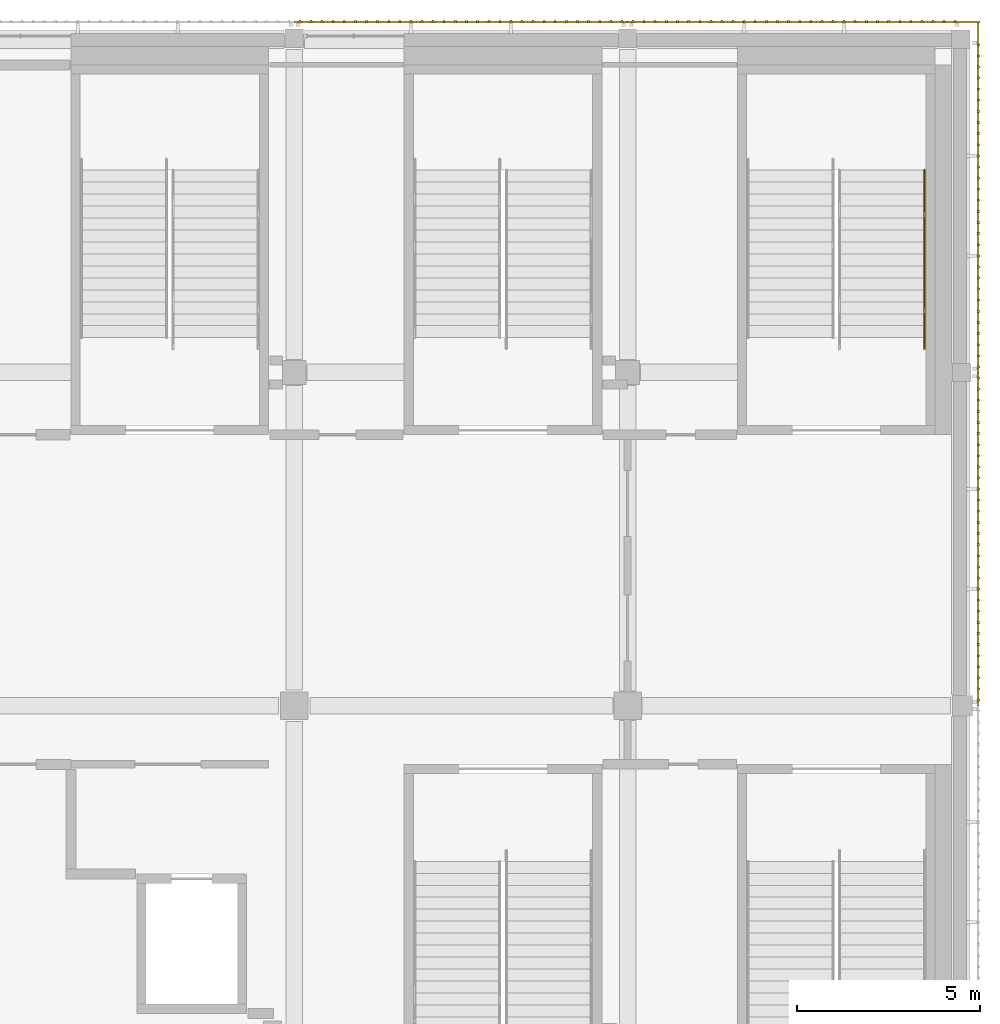
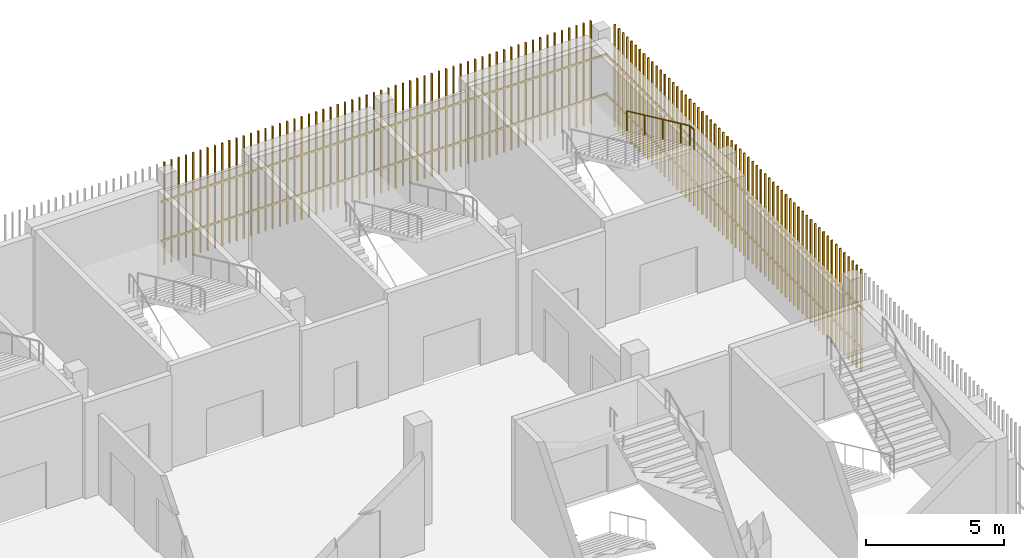
# One storey, part 103 of 104: 4 shading devices, 1 railing.
"""IFC4 building model written with IfcOpenShell, lengths in metres."""

from ifc_helpers import new_model, si_unit, direction, frame, origin, origin_2d, place, context, subcontext, project, spatial, rectangle, circle, extrude, material, type_object, element, save


model = new_model("IFC4")

# Units and contexts
model_context = context("Model", 3, precision=1e-05, world=origin(), true_north=direction((0.0, 1.0)))
body_context = subcontext(model_context, "Body", "Model", "MODEL_VIEW")
ifc_project = project(units=[si_unit("LENGTHUNIT", "METRE"), si_unit("AREAUNIT", "SQUARE_METRE"), si_unit("VOLUMEUNIT", "CUBIC_METRE"), si_unit("PLANEANGLEUNIT", "RADIAN"), si_unit("MASSUNIT", "GRAM", prefix="KILO")], contexts=[model_context])

# Site, building, storey
site_placement = place(None, origin())
site = spatial("IfcSite", under=ifc_project, at=site_placement, CompositionType="ELEMENT")
building_placement = place(site_placement, origin())
building = spatial("IfcBuilding", under=site, at=building_placement, Name="Shirokan Park Arena", CompositionType="ELEMENT")
storey_placement = place(building_placement, frame((0.0, 0.0, 10.919921875)))
storey = spatial("IfcBuildingStorey", under=building, at=storey_placement, Name="L02", CompositionType="ELEMENT", Elevation=10.919921875)

# Railing
ifc_material_1 = material(Name="Stainless steel", Category="steel")
railing_type = type_object("IfcRailingType", Name="Stair handrail 900", PredefinedType="HANDRAIL", material=ifc_material_1)
railing_placement = place(storey_placement, frame((144.610107421875, 105.623779296875, 2.4267578125)))
element("IfcRailing", 1, at=railing_placement, inside=storey, type_object=railing_type, Name="Handrail Exit Stair 3.A L02 to L03", PredefinedType="HANDRAIL", context=body_context, shape_type="SweptSolid", body=[
    extrude(circle(Radius=0.02392578125, at=origin_2d()), frame((0.0, 0.0, 0.8759765625), z_axis=(0.0, -0.907029769225, 0.421066500378), x_axis=(1.0, 0.0, 0.0)), (0.0, 0.0, 1.0), 1.44091796875),
    extrude(circle(Radius=0.02392578125, at=origin_2d()), frame((0.0, -1.306884765625, 1.482421875), z_axis=(0.0, -0.906999720516, 0.421131222998), x_axis=(1.0, 0.0, 0.0)), (0.0, 0.0, 1.0), 1.440673828125),
    extrude(circle(Radius=0.02392578125, at=origin_2d()), frame((0.0, -2.613525390625, 2.08935546875), z_axis=(0.0, -0.907029769225, 0.421066500378), x_axis=(1.0, 0.0, 0.0)), (0.0, 0.0, 1.0), 1.44091796875),
    extrude(circle(Radius=0.02392578125, at=origin_2d()), frame((0.0, -3.92041015625, 2.69580078125), z_axis=(0.0, -0.907064445915, 0.420991794405), x_axis=(1.0, 0.0, 0.0)), (0.0, 0.0, 1.0), 0.72021484375),
    extrude(circle(Radius=0.02392578125, at=origin_2d()), frame((0.0, -4.57373046875, 2.9990234375), z_axis=(0.0, -1.0, 0.0), x_axis=(1.0, 0.0, 0.0)), (0.0, 0.0, 1.0), 0.300048828125),
    extrude(circle(Radius=0.02099609375, at=origin_2d()), origin(), (0.0, 0.0, 1.0), 0.851806640625),
    extrude(circle(Radius=0.02099609375, at=origin_2d()), frame((0.0, -1.306884765625, 0.606689453125)), (0.0, 0.0, 1.0), 0.851806640625),
    extrude(circle(Radius=0.02099609375, at=origin_2d()), frame((0.0, -2.613525390625, 1.21337890625)), (0.0, 0.0, 1.0), 0.851806640625),
    extrude(circle(Radius=0.02099609375, at=origin_2d()), frame((0.0, -3.92041015625, 1.820068359375)), (0.0, 0.0, 1.0), 0.851806640625),
    extrude(circle(Radius=0.02099609375, at=origin_2d()), frame((0.0, -4.57373046875, 2.123291015625)), (0.0, 0.0, 1.0), 0.851806640625),
    extrude(circle(Radius=0.02099609375, at=origin_2d()), frame((0.0, -4.873779296875, 2.123291015625)), (0.0, 0.0, 1.0), 0.851806640625),
])

# Shading devices
ifc_material_2 = material(Name="Timber louvre veil (cedar)", Category="wood")
shading_device_type = type_object("IfcShadingDeviceType", Name="Timber louvre veil panel", PredefinedType="JALOUSIE", material=ifc_material_2)
shading_device_1_placement = place(storey_placement, origin())
element("IfcShadingDevice", 2, at=shading_device_1_placement, inside=storey, type_object=shading_device_type, Name="Timber louvre veil east bay 11 L02", PredefinedType="JALOUSIE", context=body_context, shape_type="SweptSolid", body=[
    extrude(rectangle(XDim=0.050048828125, YDim=0.080078125, at=origin_2d()), frame((146.0849609375, 91.151611328125, 0.0), z_axis=(0.0, 0.0, 1.0), x_axis=(0.0, 1.0, 0.0)), (0.0, 0.0, 1.0), 4.550048828125),
    extrude(rectangle(XDim=0.050048828125, YDim=0.080078125, at=origin_2d()), frame((146.0849609375, 91.455078125, 0.0), z_axis=(0.0, 0.0, 1.0), x_axis=(0.0, 1.0, 0.0)), (0.0, 0.0, 1.0), 4.550048828125),
    extrude(rectangle(XDim=0.050048828125, YDim=0.080078125, at=origin_2d()), frame((146.0849609375, 91.75830078125, 0.0), z_axis=(0.0, 0.0, 1.0), x_axis=(0.0, 1.0, 0.0)), (0.0, 0.0, 1.0), 4.550048828125),
    extrude(rectangle(XDim=0.050048828125, YDim=0.080078125, at=origin_2d()), frame((146.0849609375, 92.061767578125, 0.0), z_axis=(0.0, 0.0, 1.0), x_axis=(0.0, 1.0, 0.0)), (0.0, 0.0, 1.0), 4.550048828125),
    extrude(rectangle(XDim=0.050048828125, YDim=0.080078125, at=origin_2d()), frame((146.0849609375, 92.364990234375, 0.0), z_axis=(0.0, 0.0, 1.0), x_axis=(0.0, 1.0, 0.0)), (0.0, 0.0, 1.0), 4.550048828125),
    extrude(rectangle(XDim=0.050048828125, YDim=0.080078125, at=origin_2d()), frame((146.0849609375, 92.668212890625, 0.0), z_axis=(0.0, 0.0, 1.0), x_axis=(0.0, 1.0, 0.0)), (0.0, 0.0, 1.0), 4.550048828125),
    extrude(rectangle(XDim=0.050048828125, YDim=0.080078125, at=origin_2d()), frame((146.0849609375, 92.9716796875, 0.0), z_axis=(0.0, 0.0, 1.0), x_axis=(0.0, 1.0, 0.0)), (0.0, 0.0, 1.0), 4.550048828125),
    extrude(rectangle(XDim=0.050048828125, YDim=0.080078125, at=origin_2d()), frame((146.0849609375, 93.27490234375, 0.0), z_axis=(0.0, 0.0, 1.0), x_axis=(0.0, 1.0, 0.0)), (0.0, 0.0, 1.0), 4.550048828125),
    extrude(rectangle(XDim=0.050048828125, YDim=0.080078125, at=origin_2d()), frame((146.0849609375, 93.578369140625, 0.0), z_axis=(0.0, 0.0, 1.0), x_axis=(0.0, 1.0, 0.0)), (0.0, 0.0, 1.0), 4.550048828125),
    extrude(rectangle(XDim=0.050048828125, YDim=0.080078125, at=origin_2d()), frame((146.0849609375, 93.881591796875, 0.0), z_axis=(0.0, 0.0, 1.0), x_axis=(0.0, 1.0, 0.0)), (0.0, 0.0, 1.0), 4.550048828125),
    extrude(rectangle(XDim=0.050048828125, YDim=0.080078125, at=origin_2d()), frame((146.0849609375, 94.18505859375, 0.0), z_axis=(0.0, 0.0, 1.0), x_axis=(0.0, 1.0, 0.0)), (0.0, 0.0, 1.0), 4.550048828125),
    extrude(rectangle(XDim=0.050048828125, YDim=0.080078125, at=origin_2d()), frame((146.0849609375, 94.48828125, 0.0), z_axis=(0.0, 0.0, 1.0), x_axis=(0.0, 1.0, 0.0)), (0.0, 0.0, 1.0), 4.550048828125),
    extrude(rectangle(XDim=0.050048828125, YDim=0.080078125, at=origin_2d()), frame((146.0849609375, 94.791748046875, 0.0), z_axis=(0.0, 0.0, 1.0), x_axis=(0.0, 1.0, 0.0)), (0.0, 0.0, 1.0), 4.550048828125),
    extrude(rectangle(XDim=0.050048828125, YDim=0.080078125, at=origin_2d()), frame((146.0849609375, 95.094970703125, 0.0), z_axis=(0.0, 0.0, 1.0), x_axis=(0.0, 1.0, 0.0)), (0.0, 0.0, 1.0), 4.550048828125),
    extrude(rectangle(XDim=0.050048828125, YDim=0.080078125, at=origin_2d()), frame((146.0849609375, 95.3984375, 0.0), z_axis=(0.0, 0.0, 1.0), x_axis=(0.0, 1.0, 0.0)), (0.0, 0.0, 1.0), 4.550048828125),
    extrude(rectangle(XDim=0.050048828125, YDim=0.080078125, at=origin_2d()), frame((146.0849609375, 95.70166015625, 0.0), z_axis=(0.0, 0.0, 1.0), x_axis=(0.0, 1.0, 0.0)), (0.0, 0.0, 1.0), 4.550048828125),
    extrude(rectangle(XDim=0.050048828125, YDim=0.080078125, at=origin_2d()), frame((146.0849609375, 96.0048828125, 0.0), z_axis=(0.0, 0.0, 1.0), x_axis=(0.0, 1.0, 0.0)), (0.0, 0.0, 1.0), 4.550048828125),
    extrude(rectangle(XDim=0.050048828125, YDim=0.080078125, at=origin_2d()), frame((146.0849609375, 96.308349609375, 0.0), z_axis=(0.0, 0.0, 1.0), x_axis=(0.0, 1.0, 0.0)), (0.0, 0.0, 1.0), 4.550048828125),
    extrude(rectangle(XDim=0.050048828125, YDim=0.080078125, at=origin_2d()), frame((146.0849609375, 96.611572265625, 0.0), z_axis=(0.0, 0.0, 1.0), x_axis=(0.0, 1.0, 0.0)), (0.0, 0.0, 1.0), 4.550048828125),
    extrude(rectangle(XDim=0.050048828125, YDim=0.080078125, at=origin_2d()), frame((146.0849609375, 96.9150390625, 0.0), z_axis=(0.0, 0.0, 1.0), x_axis=(0.0, 1.0, 0.0)), (0.0, 0.0, 1.0), 4.550048828125),
    extrude(rectangle(XDim=0.050048828125, YDim=0.080078125, at=origin_2d()), frame((146.0849609375, 97.21826171875, 0.0), z_axis=(0.0, 0.0, 1.0), x_axis=(0.0, 1.0, 0.0)), (0.0, 0.0, 1.0), 4.550048828125),
    extrude(rectangle(XDim=0.050048828125, YDim=0.080078125, at=origin_2d()), frame((146.0849609375, 97.521728515625, 0.0), z_axis=(0.0, 0.0, 1.0), x_axis=(0.0, 1.0, 0.0)), (0.0, 0.0, 1.0), 4.550048828125),
    extrude(rectangle(XDim=0.050048828125, YDim=0.080078125, at=origin_2d()), frame((146.0849609375, 97.824951171875, 0.0), z_axis=(0.0, 0.0, 1.0), x_axis=(0.0, 1.0, 0.0)), (0.0, 0.0, 1.0), 4.550048828125),
    extrude(rectangle(XDim=0.050048828125, YDim=0.080078125, at=origin_2d()), frame((146.0849609375, 98.12841796875, 0.0), z_axis=(0.0, 0.0, 1.0), x_axis=(0.0, 1.0, 0.0)), (0.0, 0.0, 1.0), 4.550048828125),
    extrude(rectangle(XDim=0.050048828125, YDim=0.080078125, at=origin_2d()), frame((146.0849609375, 98.431640625, 0.0), z_axis=(0.0, 0.0, 1.0), x_axis=(0.0, 1.0, 0.0)), (0.0, 0.0, 1.0), 4.550048828125),
    extrude(rectangle(XDim=0.050048828125, YDim=0.080078125, at=origin_2d()), frame((146.0849609375, 98.735107421875, 0.0), z_axis=(0.0, 0.0, 1.0), x_axis=(0.0, 1.0, 0.0)), (0.0, 0.0, 1.0), 4.550048828125),
    extrude(rectangle(XDim=0.050048828125, YDim=0.080078125, at=origin_2d()), frame((146.0849609375, 99.038330078125, 0.0), z_axis=(0.0, 0.0, 1.0), x_axis=(0.0, 1.0, 0.0)), (0.0, 0.0, 1.0), 4.550048828125),
    extrude(rectangle(XDim=0.050048828125, YDim=0.080078125, at=origin_2d()), frame((146.0849609375, 99.341552734375, 0.0), z_axis=(0.0, 0.0, 1.0), x_axis=(0.0, 1.0, 0.0)), (0.0, 0.0, 1.0), 4.550048828125),
    extrude(rectangle(XDim=0.050048828125, YDim=0.080078125, at=origin_2d()), frame((146.0849609375, 99.64501953125, 0.0), z_axis=(0.0, 0.0, 1.0), x_axis=(0.0, 1.0, 0.0)), (0.0, 0.0, 1.0), 4.550048828125),
    extrude(rectangle(XDim=0.050048828125, YDim=0.080078125, at=origin_2d()), frame((146.0849609375, 99.9482421875, 0.0), z_axis=(0.0, 0.0, 1.0), x_axis=(0.0, 1.0, 0.0)), (0.0, 0.0, 1.0), 4.550048828125),
    extrude(rectangle(XDim=9.10009765625, YDim=0.050048828125, at=origin_2d()), frame((146.070068359375, 95.550048828125, 1.06005859375), z_axis=(0.0, 0.0, 1.0), x_axis=(0.0, 1.0, 0.0)), (0.0, 0.0, 1.0), 0.080078125),
    extrude(rectangle(XDim=9.10009765625, YDim=0.050048828125, at=origin_2d()), frame((146.070068359375, 95.550048828125, 2.81005859375), z_axis=(0.0, 0.0, 1.0), x_axis=(0.0, 1.0, 0.0)), (0.0, 0.0, 1.0), 0.080078125),
])
shading_device_2_placement = place(storey_placement, origin())
element("IfcShadingDevice", 3, at=shading_device_2_placement, inside=storey, type_object=shading_device_type, Name="Timber louvre veil east bay 12 L02", PredefinedType="JALOUSIE", context=body_context, shape_type="SweptSolid", body=[
    extrude(rectangle(XDim=0.050048828125, YDim=0.080078125, at=origin_2d()), frame((146.0849609375, 100.251708984375, 0.0), z_axis=(0.0, 0.0, 1.0), x_axis=(0.0, 1.0, 0.0)), (0.0, 0.0, 1.0), 4.550048828125),
    extrude(rectangle(XDim=0.050048828125, YDim=0.080078125, at=origin_2d()), frame((146.0849609375, 100.554931640625, 0.0), z_axis=(0.0, 0.0, 1.0), x_axis=(0.0, 1.0, 0.0)), (0.0, 0.0, 1.0), 4.550048828125),
    extrude(rectangle(XDim=0.050048828125, YDim=0.080078125, at=origin_2d()), frame((146.0849609375, 100.8583984375, 0.0), z_axis=(0.0, 0.0, 1.0), x_axis=(0.0, 1.0, 0.0)), (0.0, 0.0, 1.0), 4.550048828125),
    extrude(rectangle(XDim=0.050048828125, YDim=0.080078125, at=origin_2d()), frame((146.0849609375, 101.16162109375, 0.0), z_axis=(0.0, 0.0, 1.0), x_axis=(0.0, 1.0, 0.0)), (0.0, 0.0, 1.0), 4.550048828125),
    extrude(rectangle(XDim=0.050048828125, YDim=0.080078125, at=origin_2d()), frame((146.0849609375, 101.465087890625, 0.0), z_axis=(0.0, 0.0, 1.0), x_axis=(0.0, 1.0, 0.0)), (0.0, 0.0, 1.0), 4.550048828125),
    extrude(rectangle(XDim=0.050048828125, YDim=0.080078125, at=origin_2d()), frame((146.0849609375, 101.768310546875, 0.0), z_axis=(0.0, 0.0, 1.0), x_axis=(0.0, 1.0, 0.0)), (0.0, 0.0, 1.0), 4.550048828125),
    extrude(rectangle(XDim=0.050048828125, YDim=0.080078125, at=origin_2d()), frame((146.0849609375, 102.07177734375, 0.0), z_axis=(0.0, 0.0, 1.0), x_axis=(0.0, 1.0, 0.0)), (0.0, 0.0, 1.0), 4.550048828125),
    extrude(rectangle(XDim=0.050048828125, YDim=0.080078125, at=origin_2d()), frame((146.0849609375, 102.375, 0.0), z_axis=(0.0, 0.0, 1.0), x_axis=(0.0, 1.0, 0.0)), (0.0, 0.0, 1.0), 4.550048828125),
    extrude(rectangle(XDim=0.050048828125, YDim=0.080078125, at=origin_2d()), frame((146.0849609375, 102.67822265625, 0.0), z_axis=(0.0, 0.0, 1.0), x_axis=(0.0, 1.0, 0.0)), (0.0, 0.0, 1.0), 4.550048828125),
    extrude(rectangle(XDim=0.050048828125, YDim=0.080078125, at=origin_2d()), frame((146.0849609375, 102.981689453125, 0.0), z_axis=(0.0, 0.0, 1.0), x_axis=(0.0, 1.0, 0.0)), (0.0, 0.0, 1.0), 4.550048828125),
    extrude(rectangle(XDim=0.050048828125, YDim=0.080078125, at=origin_2d()), frame((146.0849609375, 103.284912109375, 0.0), z_axis=(0.0, 0.0, 1.0), x_axis=(0.0, 1.0, 0.0)), (0.0, 0.0, 1.0), 4.550048828125),
    extrude(rectangle(XDim=0.050048828125, YDim=0.080078125, at=origin_2d()), frame((146.0849609375, 103.58837890625, 0.0), z_axis=(0.0, 0.0, 1.0), x_axis=(0.0, 1.0, 0.0)), (0.0, 0.0, 1.0), 4.550048828125),
    extrude(rectangle(XDim=0.050048828125, YDim=0.080078125, at=origin_2d()), frame((146.0849609375, 103.8916015625, 0.0), z_axis=(0.0, 0.0, 1.0), x_axis=(0.0, 1.0, 0.0)), (0.0, 0.0, 1.0), 4.550048828125),
    extrude(rectangle(XDim=0.050048828125, YDim=0.080078125, at=origin_2d()), frame((146.0849609375, 104.195068359375, 0.0), z_axis=(0.0, 0.0, 1.0), x_axis=(0.0, 1.0, 0.0)), (0.0, 0.0, 1.0), 4.550048828125),
    extrude(rectangle(XDim=0.050048828125, YDim=0.080078125, at=origin_2d()), frame((146.0849609375, 104.498291015625, 0.0), z_axis=(0.0, 0.0, 1.0), x_axis=(0.0, 1.0, 0.0)), (0.0, 0.0, 1.0), 4.550048828125),
    extrude(rectangle(XDim=0.050048828125, YDim=0.080078125, at=origin_2d()), frame((146.0849609375, 104.8017578125, 0.0), z_axis=(0.0, 0.0, 1.0), x_axis=(0.0, 1.0, 0.0)), (0.0, 0.0, 1.0), 4.550048828125),
    extrude(rectangle(XDim=0.050048828125, YDim=0.080078125, at=origin_2d()), frame((146.0849609375, 105.10498046875, 0.0), z_axis=(0.0, 0.0, 1.0), x_axis=(0.0, 1.0, 0.0)), (0.0, 0.0, 1.0), 4.550048828125),
    extrude(rectangle(XDim=0.050048828125, YDim=0.080078125, at=origin_2d()), frame((146.0849609375, 105.408447265625, 0.0), z_axis=(0.0, 0.0, 1.0), x_axis=(0.0, 1.0, 0.0)), (0.0, 0.0, 1.0), 4.550048828125),
    extrude(rectangle(XDim=0.050048828125, YDim=0.080078125, at=origin_2d()), frame((146.0849609375, 105.711669921875, 0.0), z_axis=(0.0, 0.0, 1.0), x_axis=(0.0, 1.0, 0.0)), (0.0, 0.0, 1.0), 4.550048828125),
    extrude(rectangle(XDim=0.050048828125, YDim=0.080078125, at=origin_2d()), frame((146.0849609375, 106.014892578125, 0.0), z_axis=(0.0, 0.0, 1.0), x_axis=(0.0, 1.0, 0.0)), (0.0, 0.0, 1.0), 4.550048828125),
    extrude(rectangle(XDim=0.050048828125, YDim=0.080078125, at=origin_2d()), frame((146.0849609375, 106.318359375, 0.0), z_axis=(0.0, 0.0, 1.0), x_axis=(0.0, 1.0, 0.0)), (0.0, 0.0, 1.0), 4.550048828125),
    extrude(rectangle(XDim=0.050048828125, YDim=0.080078125, at=origin_2d()), frame((146.0849609375, 106.62158203125, 0.0), z_axis=(0.0, 0.0, 1.0), x_axis=(0.0, 1.0, 0.0)), (0.0, 0.0, 1.0), 4.550048828125),
    extrude(rectangle(XDim=0.050048828125, YDim=0.080078125, at=origin_2d()), frame((146.0849609375, 106.925048828125, 0.0), z_axis=(0.0, 0.0, 1.0), x_axis=(0.0, 1.0, 0.0)), (0.0, 0.0, 1.0), 4.550048828125),
    extrude(rectangle(XDim=0.050048828125, YDim=0.080078125, at=origin_2d()), frame((146.0849609375, 107.228271484375, 0.0), z_axis=(0.0, 0.0, 1.0), x_axis=(0.0, 1.0, 0.0)), (0.0, 0.0, 1.0), 4.550048828125),
    extrude(rectangle(XDim=0.050048828125, YDim=0.080078125, at=origin_2d()), frame((146.0849609375, 107.53173828125, 0.0), z_axis=(0.0, 0.0, 1.0), x_axis=(0.0, 1.0, 0.0)), (0.0, 0.0, 1.0), 4.550048828125),
    extrude(rectangle(XDim=0.050048828125, YDim=0.080078125, at=origin_2d()), frame((146.0849609375, 107.8349609375, 0.0), z_axis=(0.0, 0.0, 1.0), x_axis=(0.0, 1.0, 0.0)), (0.0, 0.0, 1.0), 4.550048828125),
    extrude(rectangle(XDim=0.050048828125, YDim=0.080078125, at=origin_2d()), frame((146.0849609375, 108.138427734375, 0.0), z_axis=(0.0, 0.0, 1.0), x_axis=(0.0, 1.0, 0.0)), (0.0, 0.0, 1.0), 4.550048828125),
    extrude(rectangle(XDim=0.050048828125, YDim=0.080078125, at=origin_2d()), frame((146.0849609375, 108.441650390625, 0.0), z_axis=(0.0, 0.0, 1.0), x_axis=(0.0, 1.0, 0.0)), (0.0, 0.0, 1.0), 4.550048828125),
    extrude(rectangle(XDim=0.050048828125, YDim=0.080078125, at=origin_2d()), frame((146.0849609375, 108.7451171875, 0.0), z_axis=(0.0, 0.0, 1.0), x_axis=(0.0, 1.0, 0.0)), (0.0, 0.0, 1.0), 4.550048828125),
    extrude(rectangle(XDim=0.050048828125, YDim=0.080078125, at=origin_2d()), frame((146.0849609375, 109.04833984375, 0.0), z_axis=(0.0, 0.0, 1.0), x_axis=(0.0, 1.0, 0.0)), (0.0, 0.0, 1.0), 4.550048828125),
    extrude(rectangle(XDim=9.544921875, YDim=0.050048828125, at=origin_2d()), frame((146.070068359375, 104.87255859375, 1.06005859375), z_axis=(0.0, 0.0, 1.0), x_axis=(0.0, 1.0, 0.0)), (0.0, 0.0, 1.0), 0.080078125),
    extrude(rectangle(XDim=9.544921875, YDim=0.050048828125, at=origin_2d()), frame((146.070068359375, 104.87255859375, 2.81005859375), z_axis=(0.0, 0.0, 1.0), x_axis=(0.0, 1.0, 0.0)), (0.0, 0.0, 1.0), 0.080078125),
])
shading_device_3_placement = place(storey_placement, origin())
element("IfcShadingDevice", 4, at=shading_device_3_placement, inside=storey, type_object=shading_device_type, Name="Timber louvre veil north bay 1 L02", PredefinedType="JALOUSIE", context=body_context, shape_type="SweptSolid", body=[
    extrude(rectangle(XDim=0.050048828125, YDim=0.080078125, at=origin_2d()), frame((145.4482421875, 109.68505859375, 0.0), z_axis=(0.0, 0.0, 1.0), x_axis=(-1.0, 0.0, 0.0)), (0.0, 0.0, 1.0), 4.550048828125),
    extrude(rectangle(XDim=0.050048828125, YDim=0.080078125, at=origin_2d()), frame((145.14501953125, 109.68505859375, 0.0), z_axis=(0.0, 0.0, 1.0), x_axis=(-1.0, 0.0, 0.0)), (0.0, 0.0, 1.0), 4.550048828125),
    extrude(rectangle(XDim=0.050048828125, YDim=0.080078125, at=origin_2d()), frame((144.841552734375, 109.68505859375, 0.0), z_axis=(0.0, 0.0, 1.0), x_axis=(-1.0, 0.0, 0.0)), (0.0, 0.0, 1.0), 4.550048828125),
    extrude(rectangle(XDim=0.050048828125, YDim=0.080078125, at=origin_2d()), frame((144.538330078125, 109.68505859375, 0.0), z_axis=(0.0, 0.0, 1.0), x_axis=(-1.0, 0.0, 0.0)), (0.0, 0.0, 1.0), 4.550048828125),
    extrude(rectangle(XDim=0.050048828125, YDim=0.080078125, at=origin_2d()), frame((144.235107421875, 109.68505859375, 0.0), z_axis=(0.0, 0.0, 1.0), x_axis=(-1.0, 0.0, 0.0)), (0.0, 0.0, 1.0), 4.550048828125),
    extrude(rectangle(XDim=0.050048828125, YDim=0.080078125, at=origin_2d()), frame((143.931640625, 109.68505859375, 0.0), z_axis=(0.0, 0.0, 1.0), x_axis=(-1.0, 0.0, 0.0)), (0.0, 0.0, 1.0), 4.550048828125),
    extrude(rectangle(XDim=0.050048828125, YDim=0.080078125, at=origin_2d()), frame((143.62841796875, 109.68505859375, 0.0), z_axis=(0.0, 0.0, 1.0), x_axis=(-1.0, 0.0, 0.0)), (0.0, 0.0, 1.0), 4.550048828125),
    extrude(rectangle(XDim=0.050048828125, YDim=0.080078125, at=origin_2d()), frame((143.324951171875, 109.68505859375, 0.0), z_axis=(0.0, 0.0, 1.0), x_axis=(-1.0, 0.0, 0.0)), (0.0, 0.0, 1.0), 4.550048828125),
    extrude(rectangle(XDim=0.050048828125, YDim=0.080078125, at=origin_2d()), frame((143.021728515625, 109.68505859375, 0.0), z_axis=(0.0, 0.0, 1.0), x_axis=(-1.0, 0.0, 0.0)), (0.0, 0.0, 1.0), 4.550048828125),
    extrude(rectangle(XDim=0.050048828125, YDim=0.080078125, at=origin_2d()), frame((142.71826171875, 109.68505859375, 0.0), z_axis=(0.0, 0.0, 1.0), x_axis=(-1.0, 0.0, 0.0)), (0.0, 0.0, 1.0), 4.550048828125),
    extrude(rectangle(XDim=0.050048828125, YDim=0.080078125, at=origin_2d()), frame((142.4150390625, 109.68505859375, 0.0), z_axis=(0.0, 0.0, 1.0), x_axis=(-1.0, 0.0, 0.0)), (0.0, 0.0, 1.0), 4.550048828125),
    extrude(rectangle(XDim=0.050048828125, YDim=0.080078125, at=origin_2d()), frame((142.111572265625, 109.68505859375, 0.0), z_axis=(0.0, 0.0, 1.0), x_axis=(-1.0, 0.0, 0.0)), (0.0, 0.0, 1.0), 4.550048828125),
    extrude(rectangle(XDim=0.050048828125, YDim=0.080078125, at=origin_2d()), frame((141.808349609375, 109.68505859375, 0.0), z_axis=(0.0, 0.0, 1.0), x_axis=(-1.0, 0.0, 0.0)), (0.0, 0.0, 1.0), 4.550048828125),
    extrude(rectangle(XDim=0.050048828125, YDim=0.080078125, at=origin_2d()), frame((141.5048828125, 109.68505859375, 0.0), z_axis=(0.0, 0.0, 1.0), x_axis=(-1.0, 0.0, 0.0)), (0.0, 0.0, 1.0), 4.550048828125),
    extrude(rectangle(XDim=0.050048828125, YDim=0.080078125, at=origin_2d()), frame((141.20166015625, 109.68505859375, 0.0), z_axis=(0.0, 0.0, 1.0), x_axis=(-1.0, 0.0, 0.0)), (0.0, 0.0, 1.0), 4.550048828125),
    extrude(rectangle(XDim=0.050048828125, YDim=0.080078125, at=origin_2d()), frame((140.8984375, 109.68505859375, 0.0), z_axis=(0.0, 0.0, 1.0), x_axis=(-1.0, 0.0, 0.0)), (0.0, 0.0, 1.0), 4.550048828125),
    extrude(rectangle(XDim=0.050048828125, YDim=0.080078125, at=origin_2d()), frame((140.594970703125, 109.68505859375, 0.0), z_axis=(0.0, 0.0, 1.0), x_axis=(-1.0, 0.0, 0.0)), (0.0, 0.0, 1.0), 4.550048828125),
    extrude(rectangle(XDim=0.050048828125, YDim=0.080078125, at=origin_2d()), frame((140.291748046875, 109.68505859375, 0.0), z_axis=(0.0, 0.0, 1.0), x_axis=(-1.0, 0.0, 0.0)), (0.0, 0.0, 1.0), 4.550048828125),
    extrude(rectangle(XDim=0.050048828125, YDim=0.080078125, at=origin_2d()), frame((139.98828125, 109.68505859375, 0.0), z_axis=(0.0, 0.0, 1.0), x_axis=(-1.0, 0.0, 0.0)), (0.0, 0.0, 1.0), 4.550048828125),
    extrude(rectangle(XDim=0.050048828125, YDim=0.080078125, at=origin_2d()), frame((139.68505859375, 109.68505859375, 0.0), z_axis=(0.0, 0.0, 1.0), x_axis=(-1.0, 0.0, 0.0)), (0.0, 0.0, 1.0), 4.550048828125),
    extrude(rectangle(XDim=0.050048828125, YDim=0.080078125, at=origin_2d()), frame((139.381591796875, 109.68505859375, 0.0), z_axis=(0.0, 0.0, 1.0), x_axis=(-1.0, 0.0, 0.0)), (0.0, 0.0, 1.0), 4.550048828125),
    extrude(rectangle(XDim=0.050048828125, YDim=0.080078125, at=origin_2d()), frame((139.078369140625, 109.68505859375, 0.0), z_axis=(0.0, 0.0, 1.0), x_axis=(-1.0, 0.0, 0.0)), (0.0, 0.0, 1.0), 4.550048828125),
    extrude(rectangle(XDim=0.050048828125, YDim=0.080078125, at=origin_2d()), frame((138.77490234375, 109.68505859375, 0.0), z_axis=(0.0, 0.0, 1.0), x_axis=(-1.0, 0.0, 0.0)), (0.0, 0.0, 1.0), 4.550048828125),
    extrude(rectangle(XDim=0.050048828125, YDim=0.080078125, at=origin_2d()), frame((138.4716796875, 109.68505859375, 0.0), z_axis=(0.0, 0.0, 1.0), x_axis=(-1.0, 0.0, 0.0)), (0.0, 0.0, 1.0), 4.550048828125),
    extrude(rectangle(XDim=0.050048828125, YDim=0.080078125, at=origin_2d()), frame((138.168212890625, 109.68505859375, 0.0), z_axis=(0.0, 0.0, 1.0), x_axis=(-1.0, 0.0, 0.0)), (0.0, 0.0, 1.0), 4.550048828125),
    extrude(rectangle(XDim=0.050048828125, YDim=0.080078125, at=origin_2d()), frame((137.864990234375, 109.68505859375, 0.0), z_axis=(0.0, 0.0, 1.0), x_axis=(-1.0, 0.0, 0.0)), (0.0, 0.0, 1.0), 4.550048828125),
    extrude(rectangle(XDim=0.050048828125, YDim=0.080078125, at=origin_2d()), frame((137.561767578125, 109.68505859375, 0.0), z_axis=(0.0, 0.0, 1.0), x_axis=(-1.0, 0.0, 0.0)), (0.0, 0.0, 1.0), 4.550048828125),
    extrude(rectangle(XDim=0.050048828125, YDim=0.080078125, at=origin_2d()), frame((137.25830078125, 109.68505859375, 0.0), z_axis=(0.0, 0.0, 1.0), x_axis=(-1.0, 0.0, 0.0)), (0.0, 0.0, 1.0), 4.550048828125),
    extrude(rectangle(XDim=0.050048828125, YDim=0.080078125, at=origin_2d()), frame((136.955078125, 109.68505859375, 0.0), z_axis=(0.0, 0.0, 1.0), x_axis=(-1.0, 0.0, 0.0)), (0.0, 0.0, 1.0), 4.550048828125),
    extrude(rectangle(XDim=0.050048828125, YDim=0.080078125, at=origin_2d()), frame((136.651611328125, 109.68505859375, 0.0), z_axis=(0.0, 0.0, 1.0), x_axis=(-1.0, 0.0, 0.0)), (0.0, 0.0, 1.0), 4.550048828125),
    extrude(rectangle(XDim=9.625, YDim=0.050048828125, at=origin_2d()), frame((141.3125, 109.669921875, 1.06005859375), z_axis=(0.0, 0.0, 1.0), x_axis=(-1.0, 0.0, 0.0)), (0.0, 0.0, 1.0), 0.080078125),
    extrude(rectangle(XDim=9.625, YDim=0.050048828125, at=origin_2d()), frame((141.3125, 109.669921875, 2.81005859375), z_axis=(0.0, 0.0, 1.0), x_axis=(-1.0, 0.0, 0.0)), (0.0, 0.0, 1.0), 0.080078125),
])
shading_device_4_placement = place(storey_placement, origin())
element("IfcShadingDevice", 5, at=shading_device_4_placement, inside=storey, type_object=shading_device_type, Name="Timber louvre veil north bay 2 L02", PredefinedType="JALOUSIE", context=body_context, shape_type="SweptSolid", body=[
    extrude(rectangle(XDim=0.050048828125, YDim=0.080078125, at=origin_2d()), frame((136.348388671875, 109.68505859375, 0.0), z_axis=(0.0, 0.0, 1.0), x_axis=(-1.0, 0.0, 0.0)), (0.0, 0.0, 1.0), 4.550048828125),
    extrude(rectangle(XDim=0.050048828125, YDim=0.080078125, at=origin_2d()), frame((136.044921875, 109.68505859375, 0.0), z_axis=(0.0, 0.0, 1.0), x_axis=(-1.0, 0.0, 0.0)), (0.0, 0.0, 1.0), 4.550048828125),
    extrude(rectangle(XDim=0.050048828125, YDim=0.080078125, at=origin_2d()), frame((135.74169921875, 109.68505859375, 0.0), z_axis=(0.0, 0.0, 1.0), x_axis=(-1.0, 0.0, 0.0)), (0.0, 0.0, 1.0), 4.550048828125),
    extrude(rectangle(XDim=0.050048828125, YDim=0.080078125, at=origin_2d()), frame((135.438232421875, 109.68505859375, 0.0), z_axis=(0.0, 0.0, 1.0), x_axis=(-1.0, 0.0, 0.0)), (0.0, 0.0, 1.0), 4.550048828125),
    extrude(rectangle(XDim=0.050048828125, YDim=0.080078125, at=origin_2d()), frame((135.135009765625, 109.68505859375, 0.0), z_axis=(0.0, 0.0, 1.0), x_axis=(-1.0, 0.0, 0.0)), (0.0, 0.0, 1.0), 4.550048828125),
    extrude(rectangle(XDim=0.050048828125, YDim=0.080078125, at=origin_2d()), frame((134.831787109375, 109.68505859375, 0.0), z_axis=(0.0, 0.0, 1.0), x_axis=(-1.0, 0.0, 0.0)), (0.0, 0.0, 1.0), 4.550048828125),
    extrude(rectangle(XDim=0.050048828125, YDim=0.080078125, at=origin_2d()), frame((134.5283203125, 109.68505859375, 0.0), z_axis=(0.0, 0.0, 1.0), x_axis=(-1.0, 0.0, 0.0)), (0.0, 0.0, 1.0), 4.550048828125),
    extrude(rectangle(XDim=0.050048828125, YDim=0.080078125, at=origin_2d()), frame((134.22509765625, 109.68505859375, 0.0), z_axis=(0.0, 0.0, 1.0), x_axis=(-1.0, 0.0, 0.0)), (0.0, 0.0, 1.0), 4.550048828125),
    extrude(rectangle(XDim=0.050048828125, YDim=0.080078125, at=origin_2d()), frame((133.921630859375, 109.68505859375, 0.0), z_axis=(0.0, 0.0, 1.0), x_axis=(-1.0, 0.0, 0.0)), (0.0, 0.0, 1.0), 4.550048828125),
    extrude(rectangle(XDim=0.050048828125, YDim=0.080078125, at=origin_2d()), frame((133.618408203125, 109.68505859375, 0.0), z_axis=(0.0, 0.0, 1.0), x_axis=(-1.0, 0.0, 0.0)), (0.0, 0.0, 1.0), 4.550048828125),
    extrude(rectangle(XDim=0.050048828125, YDim=0.080078125, at=origin_2d()), frame((133.31494140625, 109.68505859375, 0.0), z_axis=(0.0, 0.0, 1.0), x_axis=(-1.0, 0.0, 0.0)), (0.0, 0.0, 1.0), 4.550048828125),
    extrude(rectangle(XDim=0.050048828125, YDim=0.080078125, at=origin_2d()), frame((133.01171875, 109.68505859375, 0.0), z_axis=(0.0, 0.0, 1.0), x_axis=(-1.0, 0.0, 0.0)), (0.0, 0.0, 1.0), 4.550048828125),
    extrude(rectangle(XDim=0.050048828125, YDim=0.080078125, at=origin_2d()), frame((132.708251953125, 109.68505859375, 0.0), z_axis=(0.0, 0.0, 1.0), x_axis=(-1.0, 0.0, 0.0)), (0.0, 0.0, 1.0), 4.550048828125),
    extrude(rectangle(XDim=0.050048828125, YDim=0.080078125, at=origin_2d()), frame((132.405029296875, 109.68505859375, 0.0), z_axis=(0.0, 0.0, 1.0), x_axis=(-1.0, 0.0, 0.0)), (0.0, 0.0, 1.0), 4.550048828125),
    extrude(rectangle(XDim=0.050048828125, YDim=0.080078125, at=origin_2d()), frame((132.1015625, 109.68505859375, 0.0), z_axis=(0.0, 0.0, 1.0), x_axis=(-1.0, 0.0, 0.0)), (0.0, 0.0, 1.0), 4.550048828125),
    extrude(rectangle(XDim=0.050048828125, YDim=0.080078125, at=origin_2d()), frame((131.79833984375, 109.68505859375, 0.0), z_axis=(0.0, 0.0, 1.0), x_axis=(-1.0, 0.0, 0.0)), (0.0, 0.0, 1.0), 4.550048828125),
    extrude(rectangle(XDim=0.050048828125, YDim=0.080078125, at=origin_2d()), frame((131.4951171875, 109.68505859375, 0.0), z_axis=(0.0, 0.0, 1.0), x_axis=(-1.0, 0.0, 0.0)), (0.0, 0.0, 1.0), 4.550048828125),
    extrude(rectangle(XDim=0.050048828125, YDim=0.080078125, at=origin_2d()), frame((131.191650390625, 109.68505859375, 0.0), z_axis=(0.0, 0.0, 1.0), x_axis=(-1.0, 0.0, 0.0)), (0.0, 0.0, 1.0), 4.550048828125),
    extrude(rectangle(XDim=0.050048828125, YDim=0.080078125, at=origin_2d()), frame((130.888427734375, 109.68505859375, 0.0), z_axis=(0.0, 0.0, 1.0), x_axis=(-1.0, 0.0, 0.0)), (0.0, 0.0, 1.0), 4.550048828125),
    extrude(rectangle(XDim=0.050048828125, YDim=0.080078125, at=origin_2d()), frame((130.5849609375, 109.68505859375, 0.0), z_axis=(0.0, 0.0, 1.0), x_axis=(-1.0, 0.0, 0.0)), (0.0, 0.0, 1.0), 4.550048828125),
    extrude(rectangle(XDim=0.050048828125, YDim=0.080078125, at=origin_2d()), frame((130.28173828125, 109.68505859375, 0.0), z_axis=(0.0, 0.0, 1.0), x_axis=(-1.0, 0.0, 0.0)), (0.0, 0.0, 1.0), 4.550048828125),
    extrude(rectangle(XDim=0.050048828125, YDim=0.080078125, at=origin_2d()), frame((129.978271484375, 109.68505859375, 0.0), z_axis=(0.0, 0.0, 1.0), x_axis=(-1.0, 0.0, 0.0)), (0.0, 0.0, 1.0), 4.550048828125),
    extrude(rectangle(XDim=0.050048828125, YDim=0.080078125, at=origin_2d()), frame((129.675048828125, 109.68505859375, 0.0), z_axis=(0.0, 0.0, 1.0), x_axis=(-1.0, 0.0, 0.0)), (0.0, 0.0, 1.0), 4.550048828125),
    extrude(rectangle(XDim=0.050048828125, YDim=0.080078125, at=origin_2d()), frame((129.37158203125, 109.68505859375, 0.0), z_axis=(0.0, 0.0, 1.0), x_axis=(-1.0, 0.0, 0.0)), (0.0, 0.0, 1.0), 4.550048828125),
    extrude(rectangle(XDim=0.050048828125, YDim=0.080078125, at=origin_2d()), frame((129.068359375, 109.68505859375, 0.0), z_axis=(0.0, 0.0, 1.0), x_axis=(-1.0, 0.0, 0.0)), (0.0, 0.0, 1.0), 4.550048828125),
    extrude(rectangle(XDim=0.050048828125, YDim=0.080078125, at=origin_2d()), frame((128.764892578125, 109.68505859375, 0.0), z_axis=(0.0, 0.0, 1.0), x_axis=(-1.0, 0.0, 0.0)), (0.0, 0.0, 1.0), 4.550048828125),
    extrude(rectangle(XDim=0.050048828125, YDim=0.080078125, at=origin_2d()), frame((128.461669921875, 109.68505859375, 0.0), z_axis=(0.0, 0.0, 1.0), x_axis=(-1.0, 0.0, 0.0)), (0.0, 0.0, 1.0), 4.550048828125),
    extrude(rectangle(XDim=0.050048828125, YDim=0.080078125, at=origin_2d()), frame((128.158447265625, 109.68505859375, 0.0), z_axis=(0.0, 0.0, 1.0), x_axis=(-1.0, 0.0, 0.0)), (0.0, 0.0, 1.0), 4.550048828125),
    extrude(rectangle(XDim=0.050048828125, YDim=0.080078125, at=origin_2d()), frame((127.85498046875, 109.68505859375, 0.0), z_axis=(0.0, 0.0, 1.0), x_axis=(-1.0, 0.0, 0.0)), (0.0, 0.0, 1.0), 4.550048828125),
    extrude(rectangle(XDim=0.050048828125, YDim=0.080078125, at=origin_2d()), frame((127.5517578125, 109.68505859375, 0.0), z_axis=(0.0, 0.0, 1.0), x_axis=(-1.0, 0.0, 0.0)), (0.0, 0.0, 1.0), 4.550048828125),
    extrude(rectangle(XDim=9.10009765625, YDim=0.050048828125, at=origin_2d()), frame((131.949951171875, 109.669921875, 1.06005859375), z_axis=(0.0, 0.0, 1.0), x_axis=(-1.0, 0.0, 0.0)), (0.0, 0.0, 1.0), 0.080078125),
    extrude(rectangle(XDim=9.10009765625, YDim=0.050048828125, at=origin_2d()), frame((131.949951171875, 109.669921875, 2.81005859375), z_axis=(0.0, 0.0, 1.0), x_axis=(-1.0, 0.0, 0.0)), (0.0, 0.0, 1.0), 0.080078125),
])

save(model, "model.ifc")
